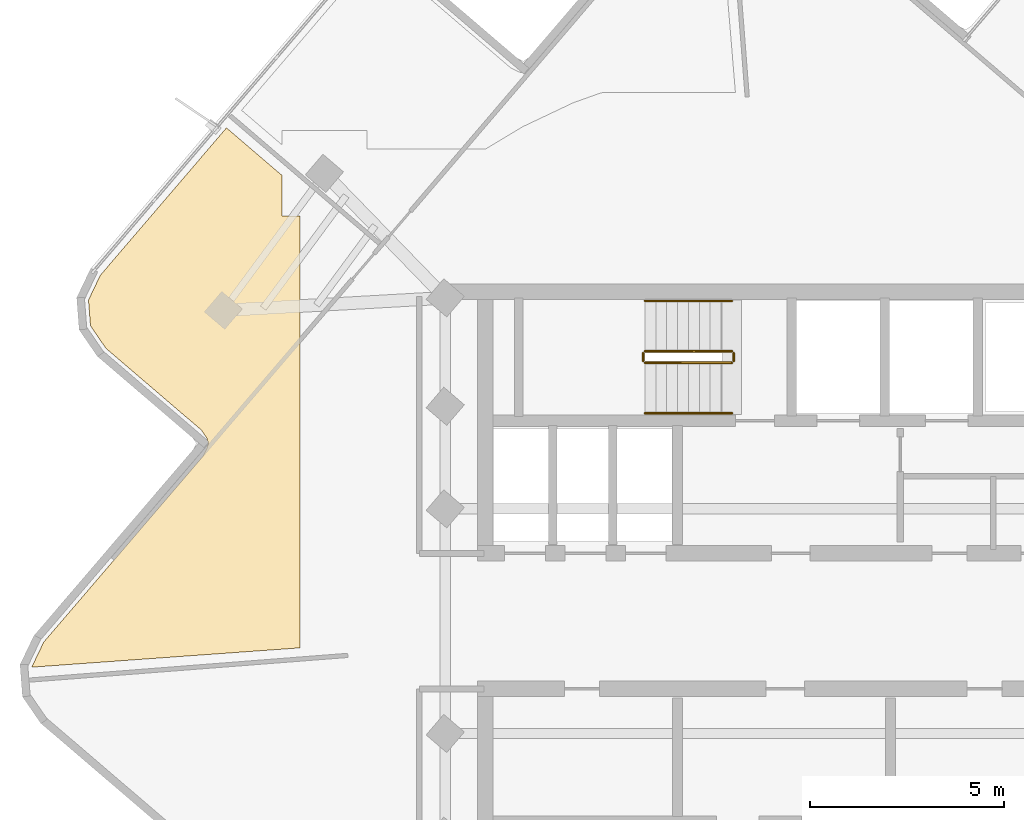
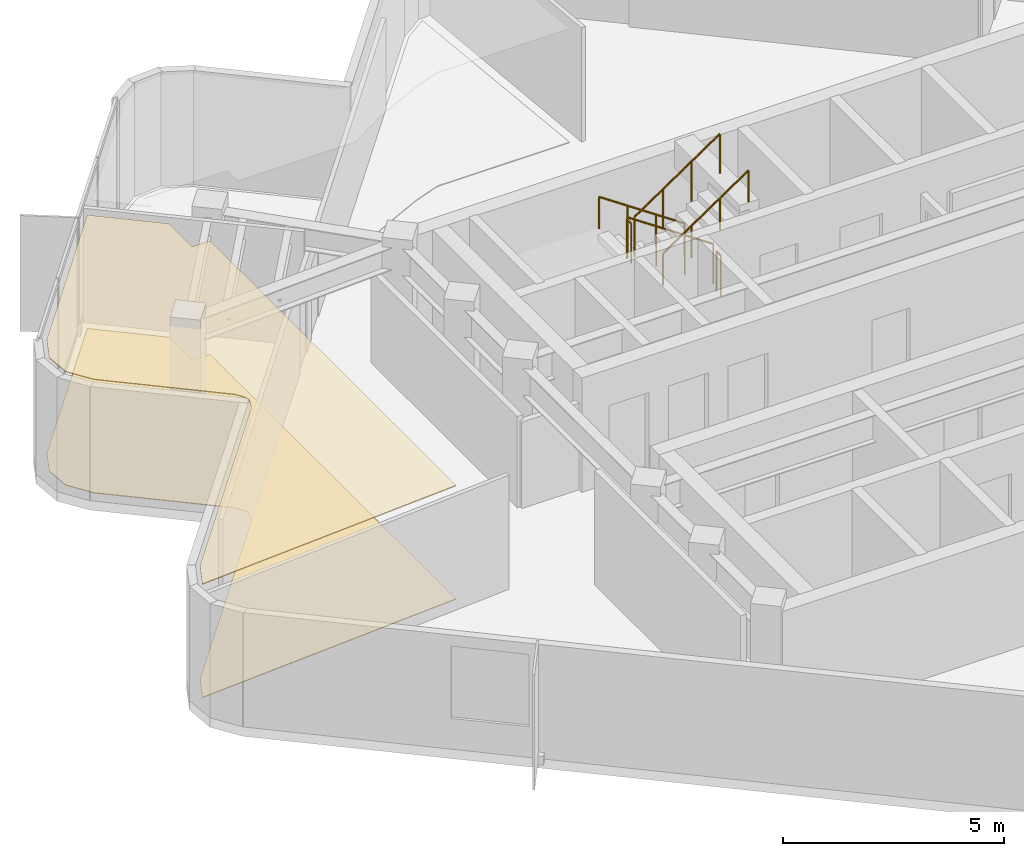
# One storey, part 9 of 10: 6 railings, 2 coverings.
"""IFC4 building model written with IfcOpenShell, lengths in metres."""

from ifc_helpers import new_model, si_unit, direction, frame, origin, origin_2d, place, context, subcontext, project, spatial, polyline, circle, outline, extrude, material, layer, layer_set, type_object, element, save


model = new_model("IFC4")

# Units and contexts
model_context = context("Model", 3, precision=1e-05, world=origin(), true_north=direction((0.0, 1.0)))
body_context = subcontext(model_context, "Body", "Model", "MODEL_VIEW")
ifc_project = project(units=[si_unit("LENGTHUNIT", "METRE"), si_unit("AREAUNIT", "SQUARE_METRE"), si_unit("VOLUMEUNIT", "CUBIC_METRE"), si_unit("PLANEANGLEUNIT", "RADIAN"), si_unit("MASSUNIT", "GRAM", prefix="KILO")], contexts=[model_context])

# Site, building, storey
site_placement = place(None, origin())
site = spatial("IfcSite", under=ifc_project, at=site_placement, CompositionType="ELEMENT")
building_placement = place(site_placement, origin())
building = spatial("IfcBuilding", under=site, at=building_placement, Name="Solmarez Civic Tower", CompositionType="ELEMENT")
storey_placement = place(building_placement, frame((0.0, 0.0, 254.340087890625)))
storey = spatial("IfcBuildingStorey", under=building, at=storey_placement, Name="L68", CompositionType="ELEMENT", Elevation=254.340087890625)

# Coverings
ifc_material_1 = material(Name="Perforated Mineral-Fibre Acoustic Ceiling")
ifc_layer_1 = layer(ifc_material_1, 0.02490234375)
ifc_layer_set_1 = layer_set([ifc_layer_1], Name="Perforated Mineral-Fibre Acoustic Ceiling")
covering_type_1 = type_object("IfcCoveringType", Name="COV-CEIL-ACOUSTIC", PredefinedType="CEILING", material=ifc_layer_set_1)
covering_1_placement = place(storey_placement, frame((0.0, 0.0, 3.135009765625)))
element("IfcCovering", 1, at=covering_1_placement, inside=storey, type_object=covering_type_1, Name="L68 Suspended Acoustic Ceiling 1", PredefinedType="CEILING", context=body_context, shape_type="SweptSolid", body=[
    extrude(outline(polyline([(-15.1279296875, 4.239990234375), (-19.220947265625, -0.5419921875), (-19.527099609375, -1.181884765625), (-19.527099609375, -1.18798828125), (-12.60009765625, -0.68896484375), (-12.60009765625, 10.466064453125), (-13.071044921875, 10.466064453125), (-13.071044921875, 11.51708984375), (-14.5, 12.739990234375), (-17.758056640625, 8.93310546875), (-18.06396484375, 8.2939453125), (-18.011962890625, 7.62890625), (-17.612060546875, 7.0439453125), (-15.181884765625, 4.965087890625), (-15.177001953125, 4.9609375), (-15.160888671875, 4.946044921875), (-15.14599609375, 4.928955078125), (-15.14208984375, 4.924072265625), (-15.1279296875, 4.905029296875), (-15.029052734375, 4.760986328125), (-15.02490234375, 4.7548828125), (-15.014892578125, 4.738037109375), (-15.006103515625, 4.719970703125), (-15.0029296875, 4.712890625), (-15.0, 4.7060546875), (-14.993896484375, 4.68896484375), (-14.989013671875, 4.672119140625), (-14.987060546875, 4.6640625), (-14.98193359375, 4.64208984375), (-14.98095703125, 4.631103515625), (-14.97998046875, 4.623046875), (-14.97802734375, 4.60400390625), (-14.97802734375, 4.583984375), (-14.97900390625, 4.573974609375), (-14.97998046875, 4.56103515625), (-14.98291015625, 4.5400390625), (-14.987060546875, 4.52099609375), (-14.989990234375, 4.512939453125), (-14.9951171875, 4.49609375), (-15.0009765625, 4.47900390625), (-15.00390625, 4.471923828125), (-15.007080078125, 4.464111328125), (-15.0810546875, 4.30908203125), (-15.090087890625, 4.2939453125), (-15.10205078125, 4.27294921875), (-15.115966796875, 4.25390625), (-15.1279296875, 4.239990234375)])), origin(), (0.0, 0.0, 1.0), 0.02490234375),
])
ifc_material_2 = material(Name="Polished Tropical Stone Terrazzo Flooring", Category="masonry")
ifc_layer_2 = layer(ifc_material_2, 0.02001953125)
ifc_layer_set_2 = layer_set([ifc_layer_2], Name="Polished Tropical Stone Terrazzo Flooring")
covering_type_2 = type_object("IfcCoveringType", Name="COV-FLOOR-TERRAZZO", PredefinedType="FLOORING", material=ifc_layer_set_2)
covering_2_placement = place(storey_placement, origin())
element("IfcCovering", 2, at=covering_2_placement, inside=storey, type_object=covering_type_2, Name="L68 Terrazzo Floor Finish 1", PredefinedType="FLOORING", context=body_context, shape_type="SweptSolid", body=[
    extrude(outline(polyline([(-15.1279296875, 4.239990234375), (-19.220947265625, -0.5419921875), (-19.527099609375, -1.181884765625), (-19.527099609375, -1.18798828125), (-12.60009765625, -0.68896484375), (-12.60009765625, 10.466064453125), (-13.071044921875, 10.466064453125), (-13.071044921875, 11.51708984375), (-14.5, 12.739990234375), (-17.758056640625, 8.93310546875), (-18.06396484375, 8.2939453125), (-18.011962890625, 7.62890625), (-17.612060546875, 7.0439453125), (-15.181884765625, 4.965087890625), (-15.177001953125, 4.9609375), (-15.160888671875, 4.946044921875), (-15.14599609375, 4.928955078125), (-15.14208984375, 4.924072265625), (-15.1279296875, 4.905029296875), (-15.029052734375, 4.760986328125), (-15.02490234375, 4.7548828125), (-15.014892578125, 4.738037109375), (-15.006103515625, 4.719970703125), (-15.0029296875, 4.712890625), (-15.0, 4.7060546875), (-14.993896484375, 4.68896484375), (-14.989013671875, 4.672119140625), (-14.987060546875, 4.6640625), (-14.98193359375, 4.64208984375), (-14.98095703125, 4.631103515625), (-14.97998046875, 4.623046875), (-14.97802734375, 4.60400390625), (-14.97802734375, 4.583984375), (-14.97900390625, 4.573974609375), (-14.97998046875, 4.56103515625), (-14.98291015625, 4.5400390625), (-14.987060546875, 4.52099609375), (-14.989990234375, 4.512939453125), (-14.9951171875, 4.49609375), (-15.0009765625, 4.47900390625), (-15.00390625, 4.471923828125), (-15.007080078125, 4.464111328125), (-15.0810546875, 4.30908203125), (-15.090087890625, 4.2939453125), (-15.10205078125, 4.27294921875), (-15.115966796875, 4.25390625), (-15.1279296875, 4.239990234375)])), origin(), (0.0, 0.0, 1.0), 0.02001953125),
])

# Railings
ifc_material_3 = material(Name="Painted Steel Stairwell Safety Guard", Category="steel")
railing_type_1 = type_object("IfcRailingType", Name="GUARD-STAIR-1120", PredefinedType="BALUSTRADE", material=ifc_material_3)
railing_1_placement = place(storey_placement, frame((-1.449951171875, 6.969970703125, 0.18994140625)))
element("IfcRailing", 3, at=railing_1_placement, inside=storey, type_object=railing_type_1, Name="L68 ST-1 stair guard 1", PredefinedType="BALUSTRADE", context=body_context, shape_type="SweptSolid", body=[
    extrude(circle(Radius=0.02392578125, at=origin_2d()), frame((0.0, 0.0, 1.09619140625), z_axis=(-0.827471284677, 0.0, 0.561508034703), x_axis=(0.0, -1.0, 0.0)), (0.0, 0.0, 1.0), 2.70703125),
    extrude(circle(Radius=0.02099609375, at=origin_2d()), origin(), (0.0, 0.0, 1.0), 1.072021484375),
    extrude(circle(Radius=0.02099609375, at=origin_2d()), frame((-0.74658203125, 0.0, 0.506591796875)), (0.0, 0.0, 1.0), 1.072021484375),
    extrude(circle(Radius=0.02099609375, at=origin_2d()), frame((-1.493408203125, 0.0, 1.013427734375)), (0.0, 0.0, 1.0), 1.072021484375),
    extrude(circle(Radius=0.02099609375, at=origin_2d()), frame((-2.239990234375, 0.0, 1.52001953125)), (0.0, 0.0, 1.0), 1.072021484375),
])
railing_2_placement = place(storey_placement, frame((-3.739990234375, 6.919921875, 1.7099609375)))
element("IfcRailing", 4, at=railing_2_placement, inside=storey, type_object=railing_type_1, Name="L68 ST-1 stair guard 2", PredefinedType="BALUSTRADE", context=body_context, shape_type="SweptSolid", body=[
    extrude(circle(Radius=0.02392578125, at=origin_2d()), frame((0.0, 0.0, 1.09619140625), z_axis=(0.0, -1.0, 0.0), x_axis=(1.0, 0.0, 0.0)), (0.0, 0.0, 1.0), 0.199951171875),
    extrude(circle(Radius=0.02099609375, at=origin_2d()), origin(), (0.0, 0.0, 1.0), 1.072021484375),
    extrude(circle(Radius=0.02099609375, at=origin_2d()), frame((0.0, -0.199951171875, 0.0)), (0.0, 0.0, 1.0), 1.072021484375),
])
railing_3_placement = place(storey_placement, frame((-3.68994140625, 6.669921875, 1.89990234375)))
element("IfcRailing", 5, at=railing_3_placement, inside=storey, type_object=railing_type_1, Name="L68 ST-1 stair guard 3", PredefinedType="BALUSTRADE", context=body_context, shape_type="SweptSolid", body=[
    extrude(circle(Radius=0.02392578125, at=origin_2d()), frame((0.0, 0.0, 1.09619140625), z_axis=(0.827471284677, 0.0, 0.561508034703), x_axis=(0.0, 1.0, 0.0)), (0.0, 0.0, 1.0), 2.70703125),
    extrude(circle(Radius=0.02099609375, at=origin_2d()), origin(), (0.0, 0.0, 1.0), 1.072021484375),
    extrude(circle(Radius=0.02099609375, at=origin_2d()), frame((0.74658203125, 0.0, 0.506591796875)), (0.0, 0.0, 1.0), 1.072021484375),
    extrude(circle(Radius=0.02099609375, at=origin_2d()), frame((1.493408203125, 0.0, 1.013427734375)), (0.0, 0.0, 1.0), 1.072021484375),
    extrude(circle(Radius=0.02099609375, at=origin_2d()), frame((2.239990234375, 0.0, 1.52001953125)), (0.0, 0.0, 1.0), 1.072021484375),
])
railing_4_placement = place(storey_placement, frame((-1.39990234375, 6.919921875, 0.0)))
element("IfcRailing", 6, at=railing_4_placement, inside=storey, type_object=railing_type_1, Name="L68 ST-1 stair guard 4", PredefinedType="BALUSTRADE", context=body_context, shape_type="SweptSolid", body=[
    extrude(circle(Radius=0.02392578125, at=origin_2d()), frame((0.0, 0.0, 1.09619140625), z_axis=(0.0, -1.0, 0.0), x_axis=(1.0, 0.0, 0.0)), (0.0, 0.0, 1.0), 0.199951171875),
    extrude(circle(Radius=0.02099609375, at=origin_2d()), origin(), (0.0, 0.0, 1.0), 1.072021484375),
    extrude(circle(Radius=0.02099609375, at=origin_2d()), frame((0.0, -0.199951171875, 0.0)), (0.0, 0.0, 1.0), 1.072021484375),
])
ifc_material_4 = material(Name="Brushed Stainless Steel Tube Handrail", Category="steel")
railing_type_2 = type_object("IfcRailingType", Name="HANDRAIL-STAIR-900", PredefinedType="HANDRAIL", material=ifc_material_4)
railing_5_placement = place(storey_placement, frame((-1.449951171875, 8.27001953125, 0.18994140625)))
element("IfcRailing", 7, at=railing_5_placement, inside=storey, type_object=railing_type_2, Name="L68 ST-1 stair handrail 1", PredefinedType="HANDRAIL", context=body_context, shape_type="SweptSolid", body=[
    extrude(circle(Radius=0.02392578125, at=origin_2d()), frame((0.0, 0.0, 0.8759765625), z_axis=(-0.827471284677, 0.0, 0.561508034703), x_axis=(0.0, -1.0, 0.0)), (0.0, 0.0, 1.0), 2.70703125),
    extrude(circle(Radius=0.02099609375, at=origin_2d()), origin(), (0.0, 0.0, 1.0), 0.851806640625),
    extrude(circle(Radius=0.02099609375, at=origin_2d()), frame((-0.74658203125, 0.0, 0.506591796875)), (0.0, 0.0, 1.0), 0.851806640625),
    extrude(circle(Radius=0.02099609375, at=origin_2d()), frame((-1.493408203125, 0.0, 1.013427734375)), (0.0, 0.0, 1.0), 0.851806640625),
    extrude(circle(Radius=0.02099609375, at=origin_2d()), frame((-2.239990234375, 0.0, 1.52001953125)), (0.0, 0.0, 1.0), 0.851806640625),
])
railing_6_placement = place(storey_placement, frame((-3.68994140625, 5.3701171875, 1.89990234375)))
element("IfcRailing", 8, at=railing_6_placement, inside=storey, type_object=railing_type_2, Name="L68 ST-1 stair handrail 2", PredefinedType="HANDRAIL", context=body_context, shape_type="SweptSolid", body=[
    extrude(circle(Radius=0.02392578125, at=origin_2d()), frame((0.0, 0.0, 0.8759765625), z_axis=(0.827471284677, 0.0, 0.561508034703), x_axis=(0.0, 1.0, 0.0)), (0.0, 0.0, 1.0), 2.70703125),
    extrude(circle(Radius=0.02099609375, at=origin_2d()), origin(), (0.0, 0.0, 1.0), 0.851806640625),
    extrude(circle(Radius=0.02099609375, at=origin_2d()), frame((0.74658203125, 0.0, 0.506591796875)), (0.0, 0.0, 1.0), 0.851806640625),
    extrude(circle(Radius=0.02099609375, at=origin_2d()), frame((1.493408203125, 0.0, 1.013427734375)), (0.0, 0.0, 1.0), 0.851806640625),
    extrude(circle(Radius=0.02099609375, at=origin_2d()), frame((2.239990234375, 0.0, 1.52001953125)), (0.0, 0.0, 1.0), 0.851806640625),
])

save(model, "model.ifc")
